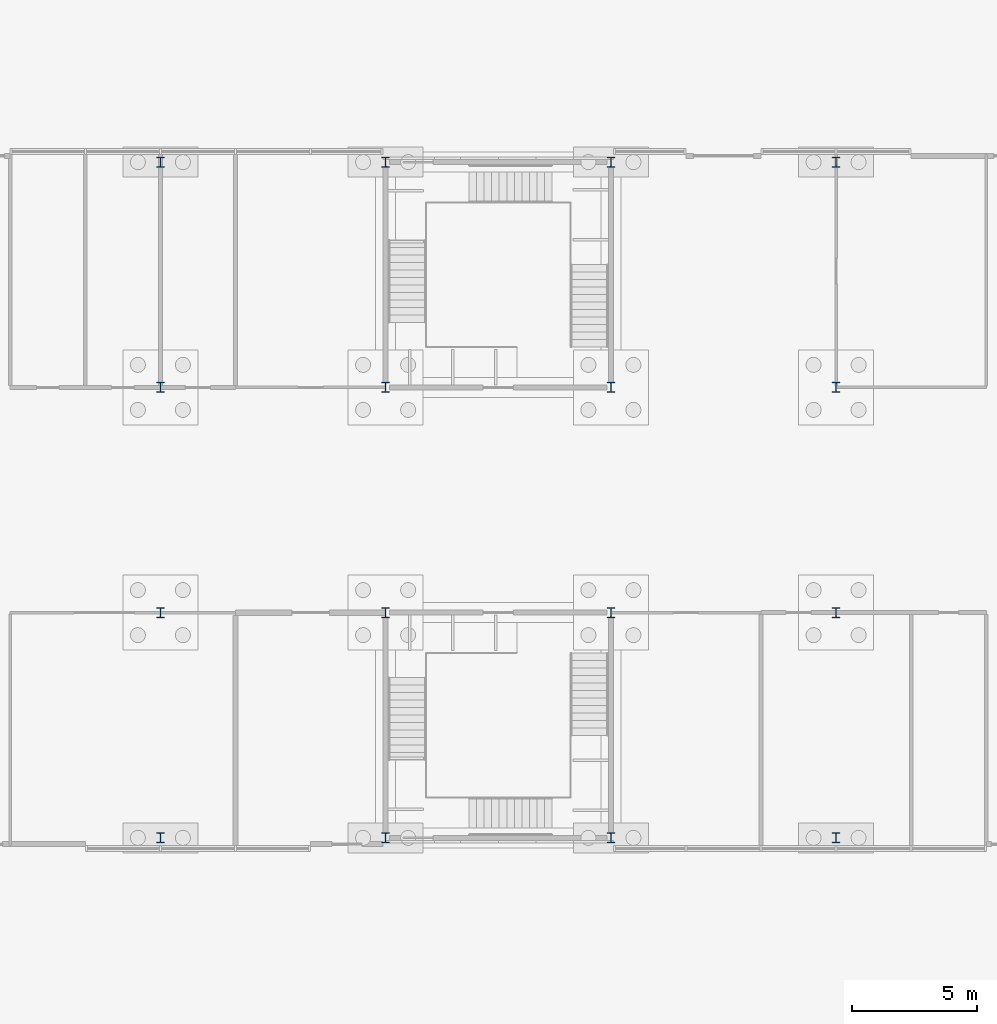
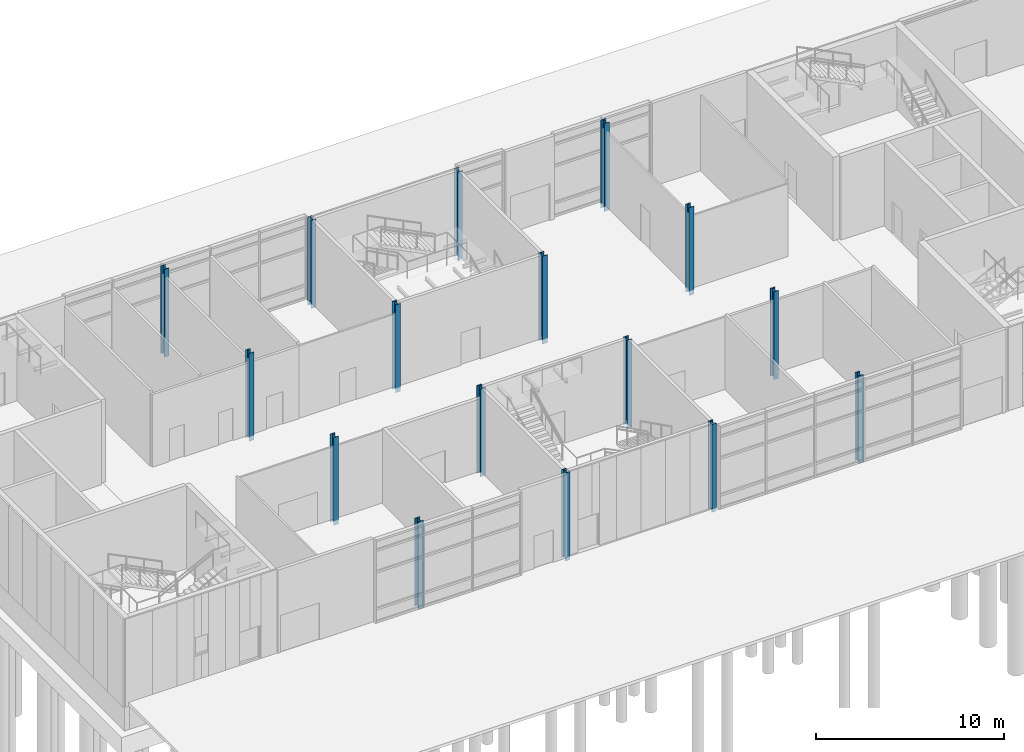
# One storey, part 6 of 45: 16 columns.
"""IFC4 building model written with IfcOpenShell, lengths in metres."""

from ifc_helpers import new_model, si_unit, direction, frame, origin, origin_2d, place, context, subcontext, project, spatial, i_section, extrude, material, material_profile, profile_set, type_object, element, save


model = new_model("IFC4")

# Units and contexts
model_context = context("Model", 3, precision=1e-05, world=origin(), true_north=direction((0.0, 1.0)))
body_context = subcontext(model_context, "Body", "Model", "MODEL_VIEW")
ifc_project = project(units=[si_unit("LENGTHUNIT", "METRE"), si_unit("AREAUNIT", "SQUARE_METRE"), si_unit("VOLUMEUNIT", "CUBIC_METRE"), si_unit("PLANEANGLEUNIT", "RADIAN"), si_unit("MASSUNIT", "GRAM", prefix="KILO")], contexts=[model_context])

# Site, building, storey
site_placement = place(None, origin())
site = spatial("IfcSite", under=ifc_project, at=site_placement, CompositionType="ELEMENT")
building_placement = place(site_placement, origin())
building = spatial("IfcBuilding", under=site, at=building_placement, Name="Azimuth Sports and Learning Centre", CompositionType="ELEMENT")
storey_placement = place(building_placement, origin())
storey = spatial("IfcBuildingStorey", under=building, at=storey_placement, Name="L00", CompositionType="ELEMENT", Elevation=0.0)

# Columns
ifc_material = material(Name="Steel S355", Category="steel")
ifc_material_profile = material_profile(ifc_material, i_section(OverallWidth=0.300048828125, OverallDepth=0.39990234375, WebThickness=0.013427734375, FlangeThickness=0.02392578125, FilletRadius=0.027099609375, at=origin_2d()), Name="HEB 400")
ifc_profile_set = profile_set([ifc_material_profile], Name="Steel S355")
column_type = type_object("IfcColumnType", Name="Column HEB 400", PredefinedType="COLUMN", material=ifc_profile_set)
for number, where, z_axis, x_axis, name in (
    (1, (18.0, 90.0, -0.300048828125), (0.0, 0.0, 1.0), (1.0, 0.0, 0.0), "Column 3L L00"),
    (2, (27.0, 90.0, -0.300048828125), (0.0, 0.0, 1.0), (1.0, 0.0, 0.0), "Column 4L L00"),
    (3, (36.0, 90.0, -0.300048828125), (0.0, 0.0, 1.0), (1.0, 0.0, 0.0), "Column 5L L00"),
    (4, (45.0, 90.0, -0.300048828125), (0.0, 0.0, 1.0), (1.0, 0.0, 0.0), "Column 6L L00"),
    (5, (18.0, 99.0, -0.300048828125), (0.0, 0.0, 1.0), (1.0, 0.0, 0.0), "Column 3M L00"),
    (6, (27.0, 99.0, -0.300048828125), (0.0, 0.0, 1.0), (1.0, 0.0, 0.0), "Column 4M L00"),
    (7, (36.0, 99.0, -0.300048828125), (0.0, 0.0, 1.0), (1.0, 0.0, 0.0), "Column 5M L00"),
    (8, (45.0, 99.0, -0.300048828125), (0.0, 0.0, 1.0), (1.0, 0.0, 0.0), "Column 6M L00"),
    (9, (18.0, 108.0, -0.300048828125), (0.0, 0.0, 1.0), (1.0, 0.0, 0.0), "Column 3N L00"),
    (10, (27.0, 108.0, -0.300048828125), (0.0, 0.0, 1.0), (1.0, 0.0, 0.0), "Column 4N L00"),
    (11, (36.0, 108.0, -0.300048828125), (0.0, 0.0, 1.0), (1.0, 0.0, 0.0), "Column 5N L00"),
    (12, (45.0, 108.0, -0.300048828125), (0.0, 0.0, 1.0), (1.0, 0.0, 0.0), "Column 6N L00"),
    (13, (18.0, 117.0, -0.300048828125), (0.0, 0.0, 1.0), (1.0, 0.0, 0.0), "Column 3P L00"),
    (14, (27.0, 117.0, -0.300048828125), (0.0, 0.0, 1.0), (1.0, 0.0, 0.0), "Column 4P L00"),
    (15, (36.0, 117.0, -0.300048828125), (0.0, 0.0, 1.0), (1.0, 0.0, 0.0), "Column 5P L00"),
    (16, (45.0, 117.0, -0.300048828125), (0.0, 0.0, 1.0), (1.0, 0.0, 0.0), "Column 6P L00"),
):
    element("IfcColumn", number, at=place(storey_placement, frame(where, z_axis=z_axis, x_axis=x_axis)), inside=storey, type_object=column_type, Name=name, PredefinedType="COLUMN", context=body_context, shape_type="SweptSolid", body=[
        extrude(i_section(OverallWidth=0.300048828125, OverallDepth=0.39990234375, WebThickness=0.013427734375, FlangeThickness=0.02392578125, FilletRadius=0.027099609375, at=origin_2d()), origin(), (0.0, 0.0, 1.0), 5.699951171875),
    ])

save(model, "model.ifc")
